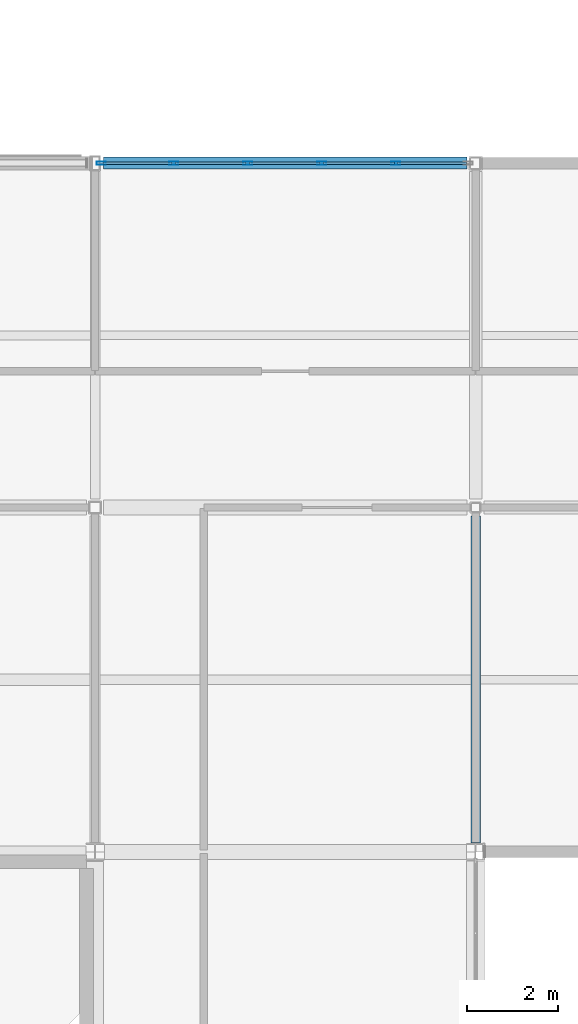
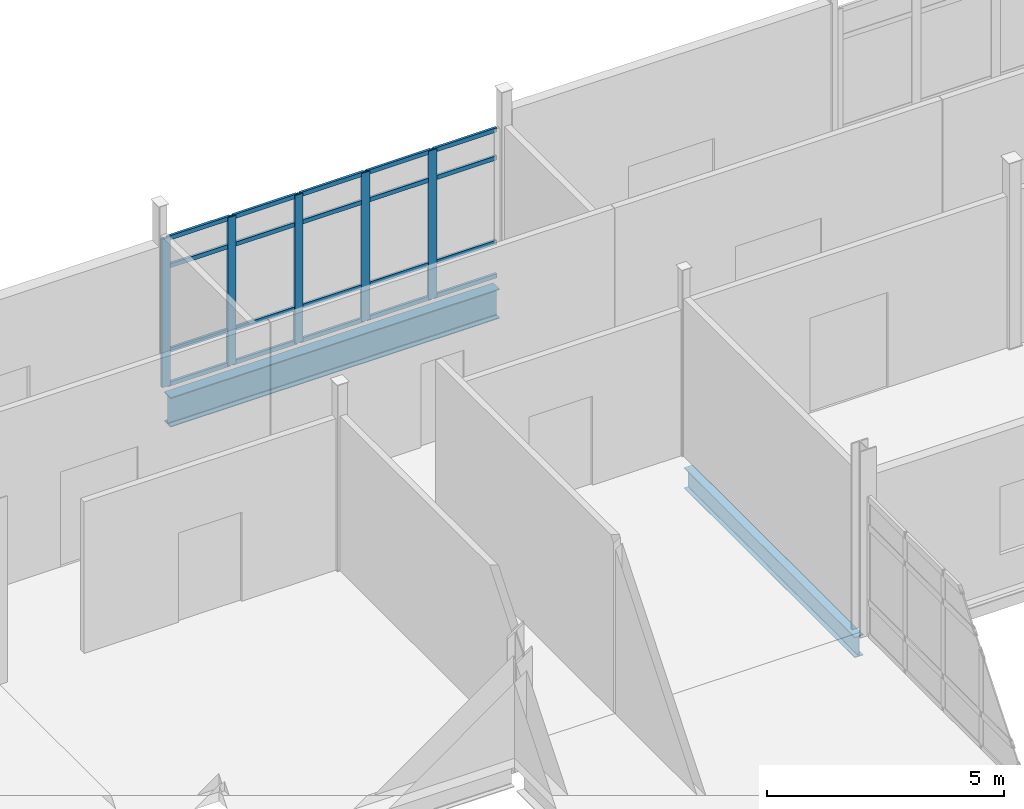
# One storey, part 62 of 186: 25 members, 2 beams, 1 element without a shape of its own.
"""IFC4 building model written with IfcOpenShell, lengths in metres."""

from ifc_helpers import new_model, si_unit, direction, frame, origin, origin_2d, place, context, subcontext, project, spatial, hollow_rectangle, i_section, extrude, material, layer, layer_set, material_profile, profile_set, type_object, element, aggregate, save


model = new_model("IFC4")

# Units and contexts
model_context = context("Model", 3, precision=1e-05, world=origin(), true_north=direction((0.0, 1.0)))
body_context = subcontext(model_context, "Body", "Model", "MODEL_VIEW")
ifc_project = project(units=[si_unit("LENGTHUNIT", "METRE"), si_unit("AREAUNIT", "SQUARE_METRE"), si_unit("VOLUMEUNIT", "CUBIC_METRE"), si_unit("PLANEANGLEUNIT", "RADIAN"), si_unit("MASSUNIT", "GRAM", prefix="KILO")], contexts=[model_context])

# Site, building, storey
site_placement = place(None, origin())
site = spatial("IfcSite", under=ifc_project, at=site_placement, CompositionType="ELEMENT")
building_placement = place(site_placement, origin())
building = spatial("IfcBuilding", under=site, at=building_placement, Name="Calvrana Isthmian Art Gallery", CompositionType="ELEMENT")
storey_placement = place(building_placement, frame((0.0, 0.0, 5.39990234375)))
storey = spatial("IfcBuildingStorey", under=building, at=storey_placement, Name="L01", CompositionType="ELEMENT", Elevation=5.39990234375)

# Beams
ifc_material_1 = material(Name="Steel ASTM A992 Gr 50", Category="steel")
ifc_material_profile_1 = material_profile(ifc_material_1, i_section(OverallWidth=0.208984375, OverallDepth=0.532958984375, WebThickness=0.01025390625, FlangeThickness=0.015625, FilletRadius=0.02099609375, at=origin_2d()), Name="W21X62")
ifc_profile_set_1 = profile_set([ifc_material_profile_1], Name="Steel ASTM A992 Gr 50")
beam_type_1 = type_object("IfcBeamType", Name="BM-G-W21X62", PredefinedType="BEAM", material=ifc_profile_set_1)
beam_1_placement = place(storey_placement, frame((80.39990234375, 46.99951171875, -0.511474609375), z_axis=(0.0, 1.0, 0.0), x_axis=(-1.0, 0.0, 0.0)))
element("IfcBeam", 1, at=beam_1_placement, inside=storey, type_object=beam_type_1, Name="Girder Y L01 11/G-H", PredefinedType="BEAM", context=body_context, shape_type="SweptSolid", body=[
    extrude(i_section(OverallWidth=0.208984375, OverallDepth=0.532958984375, WebThickness=0.01025390625, FlangeThickness=0.015625, FilletRadius=0.02099609375, at=origin_2d()), origin(), (0.0, 0.0, 1.0), 7.216552734375),
])
ifc_material_profile_2 = material_profile(ifc_material_1, i_section(OverallWidth=0.26708984375, OverallDepth=0.761962890625, WebThickness=0.014404296875, FlangeThickness=0.021484375, FilletRadius=0.02490234375, at=origin_2d()), Name="W30X116")
ifc_profile_set_2 = profile_set([ifc_material_profile_2], Name="Steel ASTM A992 Gr 50")
beam_type_2 = type_object("IfcBeamType", Name="BM-G-W30X116", PredefinedType="BEAM", material=ifc_profile_set_2)
beam_2_placement = place(storey_placement, frame((72.18408203125, 62.0, -0.6259765625), z_axis=(1.0, 0.0, 0.0), x_axis=(0.0, 1.0, 0.0)))
element("IfcBeam", 2, at=beam_2_placement, inside=storey, type_object=beam_type_2, Name="Girder X L01 10-11/I", PredefinedType="BEAM", context=body_context, shape_type="SweptSolid", body=[
    extrude(i_section(OverallWidth=0.26708984375, OverallDepth=0.761962890625, WebThickness=0.014404296875, FlangeThickness=0.021484375, FilletRadius=0.02490234375, at=origin_2d()), origin(), (0.0, 0.0, 1.0), 8.029296875),
])

# Curtain wall, members
ifc_material_2 = material(Name="Anodized bronze aluminium 6063-T6", Category="aluminium")
ifc_layer = layer(ifc_material_2, 0.179931640625, Name="Anodized bronze aluminium 6063-T6")
ifc_layer_set = layer_set([ifc_layer], Name="Anodized bronze aluminium 6063-T6")
curtain_wall_type = type_object("IfcCurtainWallType", Name="CW-UNIT-082X38", PredefinedType="USERDEFINED", material=ifc_layer_set)
curtain_wall_placement = place(storey_placement, origin())
curtain_wall = element("IfcCurtainWall", 3, at=curtain_wall_placement, inside=storey, type_object=curtain_wall_type, Name="Curtain wall CW-105", ObjectType="UNITISED CURTAIN WALL", PredefinedType="USERDEFINED")
ifc_material_profile_3 = material_profile(ifc_material_2, hollow_rectangle(XDim=0.070068359375, YDim=0.199951171875, WallThickness=0.0048828125, at=origin_2d()), Name="CWM70X200")
ifc_profile_set_3 = profile_set([ifc_material_profile_3], Name="Anodized bronze aluminium 6063-T6")
member_type_1 = type_object("IfcMemberType", Name="CWM-CWM70X200", PredefinedType="MULLION", material=ifc_profile_set_3)
member_1_placement = place(storey_placement, frame((72.13671875, 62.0, 0.0), z_axis=(0.0, 0.0, 1.0), x_axis=(0.0, 1.0, 0.0)))
member_1 = element("IfcMember", 4, at=member_1_placement, type_object=member_type_1, Name="CW-105 mullion 1", PredefinedType="MULLION", context=body_context, shape_type="SweptSolid", body=[
    extrude(hollow_rectangle(XDim=0.070068359375, YDim=0.199951171875, WallThickness=0.0048828125, at=origin_2d()), origin(), (0.0, 0.0, 1.0), 3.8271484375),
])
member_2_placement = place(storey_placement, frame((73.73583984375, 62.0, 0.0), z_axis=(0.0, 0.0, 1.0), x_axis=(0.0, 1.0, 0.0)))
member_2 = element("IfcMember", 5, at=member_2_placement, type_object=member_type_1, Name="CW-105 mullion 2", PredefinedType="MULLION", context=body_context, shape_type="SweptSolid", body=[
    extrude(hollow_rectangle(XDim=0.070068359375, YDim=0.199951171875, WallThickness=0.0048828125, at=origin_2d()), origin(), (0.0, 0.0, 1.0), 3.8271484375),
])
member_3_placement = place(storey_placement, frame((75.3701171875, 62.0, 0.0), z_axis=(0.0, 0.0, 1.0), x_axis=(0.0, 1.0, 0.0)))
member_3 = element("IfcMember", 6, at=member_3_placement, type_object=member_type_1, Name="CW-105 mullion 3", PredefinedType="MULLION", context=body_context, shape_type="SweptSolid", body=[
    extrude(hollow_rectangle(XDim=0.070068359375, YDim=0.199951171875, WallThickness=0.0048828125, at=origin_2d()), origin(), (0.0, 0.0, 1.0), 3.8271484375),
])
member_4_placement = place(storey_placement, frame((77.00439453125, 62.0, 0.0), z_axis=(0.0, 0.0, 1.0), x_axis=(0.0, 1.0, 0.0)))
member_4 = element("IfcMember", 7, at=member_4_placement, type_object=member_type_1, Name="CW-105 mullion 4", PredefinedType="MULLION", context=body_context, shape_type="SweptSolid", body=[
    extrude(hollow_rectangle(XDim=0.070068359375, YDim=0.199951171875, WallThickness=0.0048828125, at=origin_2d()), origin(), (0.0, 0.0, 1.0), 3.8271484375),
])
member_5_placement = place(storey_placement, frame((78.638671875, 62.0, 0.0), z_axis=(0.0, 0.0, 1.0), x_axis=(0.0, 1.0, 0.0)))
member_5 = element("IfcMember", 8, at=member_5_placement, type_object=member_type_1, Name="CW-105 mullion 5", PredefinedType="MULLION", context=body_context, shape_type="SweptSolid", body=[
    extrude(hollow_rectangle(XDim=0.070068359375, YDim=0.199951171875, WallThickness=0.0048828125, at=origin_2d()), origin(), (0.0, 0.0, 1.0), 3.8271484375),
])
ifc_material_profile_4 = material_profile(ifc_material_2, hollow_rectangle(XDim=0.06005859375, YDim=0.110107421875, WallThickness=0.00341796875, at=origin_2d()), Name="CWT60X110")
ifc_profile_set_4 = profile_set([ifc_material_profile_4], Name="Anodized bronze aluminium 6063-T6")
member_type_2 = type_object("IfcMemberType", Name="CWT-CWT60X110", PredefinedType="USERDEFINED", material=ifc_profile_set_4)
member_6_placement = place(storey_placement, frame((72.171630859375, 62.0, 0.030029296875), z_axis=(1.0, 0.0, 0.0), x_axis=(0.0, 1.0, 0.0)))
member_6 = element("IfcMember", 9, at=member_6_placement, type_object=member_type_2, Name="CW-105 transom 1.1", ObjectType="TRANSOM", PredefinedType="USERDEFINED", context=body_context, shape_type="SweptSolid", body=[
    extrude(hollow_rectangle(XDim=0.06005859375, YDim=0.110107421875, WallThickness=0.00341796875, at=origin_2d()), origin(), (0.0, 0.0, 1.0), 1.529296875),
])
member_7_placement = place(storey_placement, frame((72.171630859375, 62.0, 0.900146484375), z_axis=(1.0, 0.0, 0.0), x_axis=(0.0, 1.0, 0.0)))
member_7 = element("IfcMember", 10, at=member_7_placement, type_object=member_type_2, Name="CW-105 transom 1.2", ObjectType="TRANSOM", PredefinedType="USERDEFINED", context=body_context, shape_type="SweptSolid", body=[
    extrude(hollow_rectangle(XDim=0.06005859375, YDim=0.110107421875, WallThickness=0.00341796875, at=origin_2d()), origin(), (0.0, 0.0, 1.0), 1.529296875),
])
member_8_placement = place(storey_placement, frame((72.171630859375, 62.0, 3.0771484375), z_axis=(1.0, 0.0, 0.0), x_axis=(0.0, 1.0, 0.0)))
member_8 = element("IfcMember", 11, at=member_8_placement, type_object=member_type_2, Name="CW-105 transom 1.3", ObjectType="TRANSOM", PredefinedType="USERDEFINED", context=body_context, shape_type="SweptSolid", body=[
    extrude(hollow_rectangle(XDim=0.06005859375, YDim=0.110107421875, WallThickness=0.00341796875, at=origin_2d()), origin(), (0.0, 0.0, 1.0), 1.529296875),
])
member_9_placement = place(storey_placement, frame((72.171630859375, 62.0, 3.797119140625), z_axis=(1.0, 0.0, 0.0), x_axis=(0.0, 1.0, 0.0)))
member_9 = element("IfcMember", 12, at=member_9_placement, type_object=member_type_2, Name="CW-105 transom 1.4", ObjectType="TRANSOM", PredefinedType="USERDEFINED", context=body_context, shape_type="SweptSolid", body=[
    extrude(hollow_rectangle(XDim=0.06005859375, YDim=0.110107421875, WallThickness=0.00341796875, at=origin_2d()), origin(), (0.0, 0.0, 1.0), 1.529296875),
])
member_10_placement = place(storey_placement, frame((73.77099609375, 62.0, 0.030029296875), z_axis=(1.0, 0.0, 0.0), x_axis=(0.0, 1.0, 0.0)))
member_10 = element("IfcMember", 13, at=member_10_placement, type_object=member_type_2, Name="CW-105 transom 2.1", ObjectType="TRANSOM", PredefinedType="USERDEFINED", context=body_context, shape_type="SweptSolid", body=[
    extrude(hollow_rectangle(XDim=0.06005859375, YDim=0.110107421875, WallThickness=0.00341796875, at=origin_2d()), origin(), (0.0, 0.0, 1.0), 1.564208984375),
])
member_11_placement = place(storey_placement, frame((73.77099609375, 62.0, 0.900146484375), z_axis=(1.0, 0.0, 0.0), x_axis=(0.0, 1.0, 0.0)))
member_11 = element("IfcMember", 14, at=member_11_placement, type_object=member_type_2, Name="CW-105 transom 2.2", ObjectType="TRANSOM", PredefinedType="USERDEFINED", context=body_context, shape_type="SweptSolid", body=[
    extrude(hollow_rectangle(XDim=0.06005859375, YDim=0.110107421875, WallThickness=0.00341796875, at=origin_2d()), origin(), (0.0, 0.0, 1.0), 1.564208984375),
])
member_12_placement = place(storey_placement, frame((73.77099609375, 62.0, 3.0771484375), z_axis=(1.0, 0.0, 0.0), x_axis=(0.0, 1.0, 0.0)))
member_12 = element("IfcMember", 15, at=member_12_placement, type_object=member_type_2, Name="CW-105 transom 2.3", ObjectType="TRANSOM", PredefinedType="USERDEFINED", context=body_context, shape_type="SweptSolid", body=[
    extrude(hollow_rectangle(XDim=0.06005859375, YDim=0.110107421875, WallThickness=0.00341796875, at=origin_2d()), origin(), (0.0, 0.0, 1.0), 1.564208984375),
])
member_13_placement = place(storey_placement, frame((73.77099609375, 62.0, 3.797119140625), z_axis=(1.0, 0.0, 0.0), x_axis=(0.0, 1.0, 0.0)))
member_13 = element("IfcMember", 16, at=member_13_placement, type_object=member_type_2, Name="CW-105 transom 2.4", ObjectType="TRANSOM", PredefinedType="USERDEFINED", context=body_context, shape_type="SweptSolid", body=[
    extrude(hollow_rectangle(XDim=0.06005859375, YDim=0.110107421875, WallThickness=0.00341796875, at=origin_2d()), origin(), (0.0, 0.0, 1.0), 1.564208984375),
])
member_14_placement = place(storey_placement, frame((75.4052734375, 62.0, 0.030029296875), z_axis=(1.0, 0.0, 0.0), x_axis=(0.0, 1.0, 0.0)))
member_14 = element("IfcMember", 17, at=member_14_placement, type_object=member_type_2, Name="CW-105 transom 3.1", ObjectType="TRANSOM", PredefinedType="USERDEFINED", context=body_context, shape_type="SweptSolid", body=[
    extrude(hollow_rectangle(XDim=0.06005859375, YDim=0.110107421875, WallThickness=0.00341796875, at=origin_2d()), origin(), (0.0, 0.0, 1.0), 1.564208984375),
])
member_15_placement = place(storey_placement, frame((75.4052734375, 62.0, 0.900146484375), z_axis=(1.0, 0.0, 0.0), x_axis=(0.0, 1.0, 0.0)))
member_15 = element("IfcMember", 18, at=member_15_placement, type_object=member_type_2, Name="CW-105 transom 3.2", ObjectType="TRANSOM", PredefinedType="USERDEFINED", context=body_context, shape_type="SweptSolid", body=[
    extrude(hollow_rectangle(XDim=0.06005859375, YDim=0.110107421875, WallThickness=0.00341796875, at=origin_2d()), origin(), (0.0, 0.0, 1.0), 1.564208984375),
])
member_16_placement = place(storey_placement, frame((75.4052734375, 62.0, 3.0771484375), z_axis=(1.0, 0.0, 0.0), x_axis=(0.0, 1.0, 0.0)))
member_16 = element("IfcMember", 19, at=member_16_placement, type_object=member_type_2, Name="CW-105 transom 3.3", ObjectType="TRANSOM", PredefinedType="USERDEFINED", context=body_context, shape_type="SweptSolid", body=[
    extrude(hollow_rectangle(XDim=0.06005859375, YDim=0.110107421875, WallThickness=0.00341796875, at=origin_2d()), origin(), (0.0, 0.0, 1.0), 1.564208984375),
])
member_17_placement = place(storey_placement, frame((75.4052734375, 62.0, 3.797119140625), z_axis=(1.0, 0.0, 0.0), x_axis=(0.0, 1.0, 0.0)))
member_17 = element("IfcMember", 20, at=member_17_placement, type_object=member_type_2, Name="CW-105 transom 3.4", ObjectType="TRANSOM", PredefinedType="USERDEFINED", context=body_context, shape_type="SweptSolid", body=[
    extrude(hollow_rectangle(XDim=0.06005859375, YDim=0.110107421875, WallThickness=0.00341796875, at=origin_2d()), origin(), (0.0, 0.0, 1.0), 1.564208984375),
])
member_18_placement = place(storey_placement, frame((77.03955078125, 62.0, 0.030029296875), z_axis=(1.0, 0.0, 0.0), x_axis=(0.0, 1.0, 0.0)))
member_18 = element("IfcMember", 21, at=member_18_placement, type_object=member_type_2, Name="CW-105 transom 4.1", ObjectType="TRANSOM", PredefinedType="USERDEFINED", context=body_context, shape_type="SweptSolid", body=[
    extrude(hollow_rectangle(XDim=0.06005859375, YDim=0.110107421875, WallThickness=0.00341796875, at=origin_2d()), origin(), (0.0, 0.0, 1.0), 1.564208984375),
])
member_19_placement = place(storey_placement, frame((77.03955078125, 62.0, 0.900146484375), z_axis=(1.0, 0.0, 0.0), x_axis=(0.0, 1.0, 0.0)))
member_19 = element("IfcMember", 22, at=member_19_placement, type_object=member_type_2, Name="CW-105 transom 4.2", ObjectType="TRANSOM", PredefinedType="USERDEFINED", context=body_context, shape_type="SweptSolid", body=[
    extrude(hollow_rectangle(XDim=0.06005859375, YDim=0.110107421875, WallThickness=0.00341796875, at=origin_2d()), origin(), (0.0, 0.0, 1.0), 1.564208984375),
])
member_20_placement = place(storey_placement, frame((77.03955078125, 62.0, 3.0771484375), z_axis=(1.0, 0.0, 0.0), x_axis=(0.0, 1.0, 0.0)))
member_20 = element("IfcMember", 23, at=member_20_placement, type_object=member_type_2, Name="CW-105 transom 4.3", ObjectType="TRANSOM", PredefinedType="USERDEFINED", context=body_context, shape_type="SweptSolid", body=[
    extrude(hollow_rectangle(XDim=0.06005859375, YDim=0.110107421875, WallThickness=0.00341796875, at=origin_2d()), origin(), (0.0, 0.0, 1.0), 1.564208984375),
])
member_21_placement = place(storey_placement, frame((77.03955078125, 62.0, 3.797119140625), z_axis=(1.0, 0.0, 0.0), x_axis=(0.0, 1.0, 0.0)))
member_21 = element("IfcMember", 24, at=member_21_placement, type_object=member_type_2, Name="CW-105 transom 4.4", ObjectType="TRANSOM", PredefinedType="USERDEFINED", context=body_context, shape_type="SweptSolid", body=[
    extrude(hollow_rectangle(XDim=0.06005859375, YDim=0.110107421875, WallThickness=0.00341796875, at=origin_2d()), origin(), (0.0, 0.0, 1.0), 1.564208984375),
])
member_22_placement = place(storey_placement, frame((78.673828125, 62.0, 0.030029296875), z_axis=(1.0, 0.0, 0.0), x_axis=(0.0, 1.0, 0.0)))
member_22 = element("IfcMember", 25, at=member_22_placement, type_object=member_type_2, Name="CW-105 transom 5.1", ObjectType="TRANSOM", PredefinedType="USERDEFINED", context=body_context, shape_type="SweptSolid", body=[
    extrude(hollow_rectangle(XDim=0.06005859375, YDim=0.110107421875, WallThickness=0.00341796875, at=origin_2d()), origin(), (0.0, 0.0, 1.0), 1.529052734375),
])
member_23_placement = place(storey_placement, frame((78.673828125, 62.0, 0.900146484375), z_axis=(1.0, 0.0, 0.0), x_axis=(0.0, 1.0, 0.0)))
member_23 = element("IfcMember", 26, at=member_23_placement, type_object=member_type_2, Name="CW-105 transom 5.2", ObjectType="TRANSOM", PredefinedType="USERDEFINED", context=body_context, shape_type="SweptSolid", body=[
    extrude(hollow_rectangle(XDim=0.06005859375, YDim=0.110107421875, WallThickness=0.00341796875, at=origin_2d()), origin(), (0.0, 0.0, 1.0), 1.529052734375),
])
member_24_placement = place(storey_placement, frame((78.673828125, 62.0, 3.0771484375), z_axis=(1.0, 0.0, 0.0), x_axis=(0.0, 1.0, 0.0)))
member_24 = element("IfcMember", 27, at=member_24_placement, type_object=member_type_2, Name="CW-105 transom 5.3", ObjectType="TRANSOM", PredefinedType="USERDEFINED", context=body_context, shape_type="SweptSolid", body=[
    extrude(hollow_rectangle(XDim=0.06005859375, YDim=0.110107421875, WallThickness=0.00341796875, at=origin_2d()), origin(), (0.0, 0.0, 1.0), 1.529052734375),
])
member_25_placement = place(storey_placement, frame((78.673828125, 62.0, 3.797119140625), z_axis=(1.0, 0.0, 0.0), x_axis=(0.0, 1.0, 0.0)))
member_25 = element("IfcMember", 28, at=member_25_placement, type_object=member_type_2, Name="CW-105 transom 5.4", ObjectType="TRANSOM", PredefinedType="USERDEFINED", context=body_context, shape_type="SweptSolid", body=[
    extrude(hollow_rectangle(XDim=0.06005859375, YDim=0.110107421875, WallThickness=0.00341796875, at=origin_2d()), origin(), (0.0, 0.0, 1.0), 1.529052734375),
])
aggregate(curtain_wall, [member_1, member_2, member_3, member_4, member_5, member_6, member_7, member_8, member_9, member_10, member_11, member_12, member_13, member_14, member_15, member_16, member_17, member_18, member_19, member_20, member_21, member_22, member_23, member_24, member_25])

save(model, "model.ifc")
